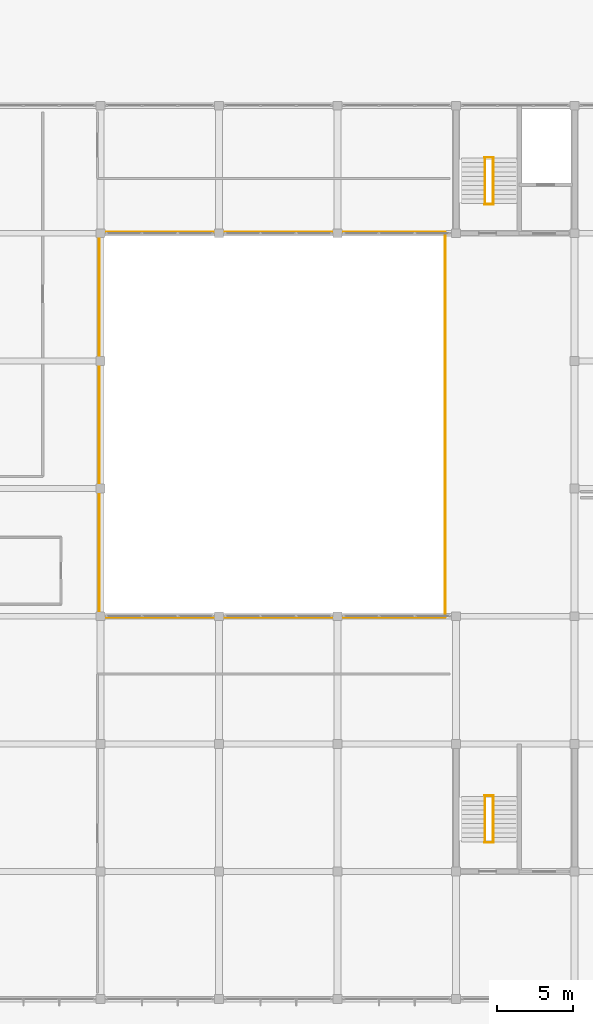
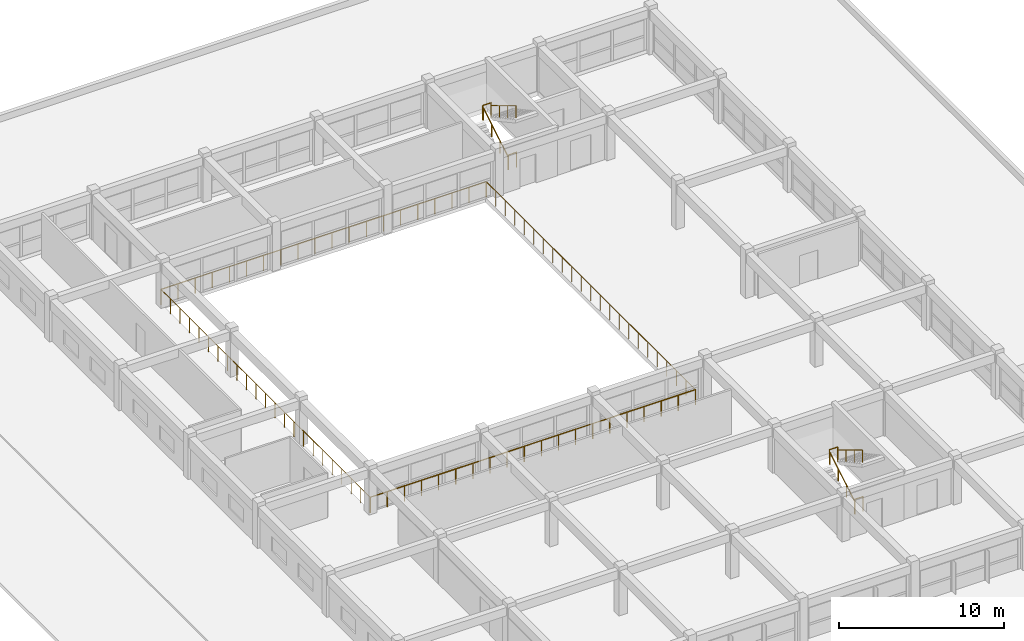
# One storey, part 101 of 101: 12 railings.
"""IFC4 building model written with IfcOpenShell, lengths in metres."""

import ifcopenshell
import ifcopenshell.guid

model = None  # the IFC model being written
_history = None  # IfcOwnerHistory: only IFC2X3 demands one
_inside = {}  # id of a spatial element -> (the spatial element, [elements in it])
_under = {}  # id of a project, library or spatial element -> (it, [spatial elements below it])
_declared = {}  # id of a project -> (the project, [libraries it declares])
_typed = {}  # id of a type object -> (the type object, [elements of that type])
_made_of = {}  # id of a material, layer set ... -> (it, [elements and type objects made of it])


def new_model(schema):
    """Start an empty IFC model of exactly this schema.

    Asked for "IFC4X3", IfcOpenShell would pick the latest addendum, in which some entities
    have other attributes; the version numbers below select the first issue.
    IFC2X3 requires an IfcOwnerHistory on every rooted entity: one is made here for all.
    """
    global model, _history
    if schema == "IFC4X3":
        model = ifcopenshell.file(schema_version=(4, 3, 0, 0))
    else:
        model = ifcopenshell.file(schema=schema)
    _inside.clear()
    _under.clear()
    _declared.clear()
    _typed.clear()
    _made_of.clear()
    _history = None
    if model.schema == "IFC2X3":
        org = make("IfcOrganization", Name="unknown")
        user = make(
            "IfcPersonAndOrganization",
            ThePerson=make("IfcPerson", FamilyName="unknown"),
            TheOrganization=org,
        )
        app = make(
            "IfcApplication",
            ApplicationDeveloper=org,
            Version="unknown",
            ApplicationFullName="unknown",
            ApplicationIdentifier="unknown",
        )
        _history = make(
            "IfcOwnerHistory",
            OwningUser=user,
            OwningApplication=app,
            ChangeAction="ADDED",
            CreationDate=0,
        )
    return model


def make(cls, **values):
    """One entity of the class cls with the attributes given. An attribute that is None is left unset."""
    return model.create_entity(
        cls, **{name: value for name, value in values.items() if value is not None}
    )


def rooted(cls, **values):
    """An entity with a GlobalId (a new one), such as an element, a storey or a relation."""
    return make(cls, GlobalId=ifcopenshell.guid.new(), OwnerHistory=_history, **values)


def si_unit(unit_type, name, prefix=None):
    """IfcSIUnit, for example si_unit("LENGTHUNIT", "METRE", prefix="MILLI")."""
    return make("IfcSIUnit", UnitType=unit_type, Prefix=prefix, Name=name)


def assignment(units):
    """IfcUnitAssignment: the units of a project."""
    return None if units is None else make("IfcUnitAssignment", Units=units)


def point(xyz):
    """IfcCartesianPoint."""
    return None if xyz is None else make("IfcCartesianPoint", Coordinates=xyz)


def direction(xyz):
    """IfcDirection."""
    return None if xyz is None else make("IfcDirection", DirectionRatios=xyz)


def frame(location, z_axis=None, x_axis=None):
    """IfcAxis2Placement3D, a coordinate frame: its origin and axes. An axis left out is left unset."""
    return make(
        "IfcAxis2Placement3D",
        Location=point(location),
        Axis=direction(z_axis),
        RefDirection=direction(x_axis),
    )


def frame_2d(location, x_axis=None):
    """IfcAxis2Placement2D, a coordinate frame in the plane: its origin and x axis."""
    return make(
        "IfcAxis2Placement2D", Location=point(location), RefDirection=direction(x_axis)
    )


def origin():
    """The frame at (0, 0, 0) with its axes left unset."""
    return frame((0.0, 0.0, 0.0))


def origin_2d():
    """The frame at (0, 0) in the plane with its x axis left unset."""
    return frame_2d((0.0, 0.0))


def place(relative_to, where):
    """IfcLocalPlacement: puts the frame where relative to a parent placement (None: the world)."""
    return make(
        "IfcLocalPlacement", PlacementRelTo=relative_to, RelativePlacement=where
    )


def context(
    kind, dimensions, precision=None, world=None, true_north=None, identifier=None
):
    """IfcGeometricRepresentationContext, for example the 3D "Model" context."""
    return make(
        "IfcGeometricRepresentationContext",
        ContextIdentifier=identifier,
        ContextType=kind,
        CoordinateSpaceDimension=dimensions,
        Precision=precision,
        WorldCoordinateSystem=world,
        TrueNorth=true_north,
    )


def subcontext(parent, identifier, kind, view, scale=None):
    """IfcGeometricRepresentationSubContext, for example "Body" below "Model"."""
    return make(
        "IfcGeometricRepresentationSubContext",
        ContextIdentifier=identifier,
        ContextType=kind,
        ParentContext=parent,
        TargetScale=scale,
        TargetView=view,
    )


def project(units=None, contexts=None):
    """IfcProject with its units and contexts."""
    return rooted(
        "IfcProject",
        Name="project",
        RepresentationContexts=contexts,
        UnitsInContext=assignment(units),
    )


def spatial(cls, under=None, at=None, **own):
    """A site, building, storey or space (cls), placed at a placement, below another one or the project."""
    s = rooted(cls, ObjectPlacement=at, **own)
    if under is not None:
        _under.setdefault(under.id(), (under, []))[1].append(s)
    return s


def profile(cls, at=None, kind="AREA", **sizes):
    """A parametric profile (cls). Its sizes go by their IFC names, for example OverallWidth=200.0."""
    return make(cls, ProfileType=kind, Position=at, **sizes)


def hollow_rectangle(**sizes):
    """IfcRectangleHollowProfileDef."""
    return profile("IfcRectangleHollowProfileDef", **sizes)


def circle(**sizes):
    """IfcCircleProfileDef."""
    return profile("IfcCircleProfileDef", **sizes)


def hollow_circle(**sizes):
    """IfcCircleHollowProfileDef."""
    return profile("IfcCircleHollowProfileDef", **sizes)


def extrude(swept, where, along, depth):
    """IfcExtrudedAreaSolid: the profile swept, set in the frame where, extruded along a direction by depth."""
    return make(
        "IfcExtrudedAreaSolid",
        SweptArea=swept,
        Position=where,
        ExtrudedDirection=direction(along),
        Depth=depth,
    )


def shape(context_of_items, identifier, shape_type, items):
    """IfcShapeRepresentation: the items that make up one representation, for example the "Body"."""
    return make(
        "IfcShapeRepresentation",
        ContextOfItems=context_of_items,
        RepresentationIdentifier=identifier,
        RepresentationType=shape_type,
        Items=items,
    )


def material(Name=None, Category=None):
    """IfcMaterial."""
    return make("IfcMaterial", Name=Name, Category=Category)


def material_profile(
    of_material, cross_section, Name=None, Category=None, Priority=None
):
    """IfcMaterialProfile: a cross section and its material."""
    return make(
        "IfcMaterialProfile",
        Name=Name,
        Material=of_material,
        Profile=cross_section,
        Priority=Priority,
        Category=Category,
    )


def profile_set(profiles, Name=None, composite=None):
    """IfcMaterialProfileSet."""
    return make(
        "IfcMaterialProfileSet",
        Name=Name,
        MaterialProfiles=profiles,
        CompositeProfile=composite,
    )


def made_of(thing, what):
    """Note that an element or type object is made of a material, layer set ...; save() writes the relation."""
    if what is not None:
        _made_of.setdefault(what.id(), (what, []))[1].append(thing)
    return thing


def type_object(cls, material=None, **own):
    """A type object (cls), such as IfcWallType, which elements share."""
    return made_of(rooted(cls, **own), material)


def element(
    cls,
    number,
    at=None,
    inside=None,
    cuts=None,
    type_object=None,
    material=None,
    context=None,
    identifier="Body",
    shape_type=None,
    held_by="IfcProductDefinitionShape",
    body=None,
    shapes=None,
    **own,
):
    """One element of the class cls, such as IfcWall. Its Tag is "e" and its number.

    at: its placement. inside: the storey or other place that contains it. cuts: it is an
    opening in that element (IfcRelVoidsElement). A single representation is given by context,
    identifier, shape_type and body (its items); several are given by shapes. held_by: the class
    of the entity that holds the representations. save() writes the other relations.
    """
    e = rooted(cls, Tag="e%d" % number, ObjectPlacement=at, **own)
    if body is not None:
        shapes = [shape(context, identifier, shape_type, body)]
    if shapes is not None:
        e.Representation = make(held_by, Representations=shapes)
    if inside is not None:
        _inside.setdefault(inside.id(), (inside, []))[1].append(e)
    if cuts is not None:
        rooted(
            "IfcRelVoidsElement", RelatingBuildingElement=cuts, RelatedOpeningElement=e
        )
    if type_object is not None:
        _typed.setdefault(type_object.id(), (type_object, []))[1].append(e)
    return made_of(e, material)


def aggregate(whole, parts):
    """IfcRelAggregates: a whole, such as a stair, and the parts it consists of."""
    return rooted("IfcRelAggregates", RelatingObject=whole, RelatedObjects=parts)


def save(model, path):
    """Write the relations noted so far, then the file.

    IfcRelAggregates (storeys below a building ...), IfcRelContainedInSpatialStructure (elements
    in a storey), IfcRelDefinesByType, IfcRelAssociatesMaterial and IfcRelDeclares: one each for
    every whole, place, type object, material and project.
    """
    for whole, parts in _under.values():
        aggregate(whole, parts)
    for where, things in _inside.values():
        rooted(
            "IfcRelContainedInSpatialStructure",
            RelatedElements=things,
            RelatingStructure=where,
        )
    for kind, things in _typed.values():
        rooted("IfcRelDefinesByType", RelatedObjects=things, RelatingType=kind)
    for what, things in _made_of.values():
        rooted("IfcRelAssociatesMaterial", RelatedObjects=things, RelatingMaterial=what)
    for by, libraries in _declared.values():
        rooted("IfcRelDeclares", RelatingContext=by, RelatedDefinitions=libraries)
    model.write(path)


model = new_model("IFC4")

# Units and contexts
model_context = context("Model", 3, precision=1e-05, world=origin(), true_north=direction((0.0, 1.0)))
body_context = subcontext(model_context, "Body", "Model", "MODEL_VIEW")
ifc_project = project(units=[si_unit("LENGTHUNIT", "METRE"), si_unit("AREAUNIT", "SQUARE_METRE"), si_unit("VOLUMEUNIT", "CUBIC_METRE"), si_unit("PLANEANGLEUNIT", "RADIAN"), si_unit("MASSUNIT", "GRAM", prefix="KILO")], contexts=[model_context])

# Site, building, storey
site_placement = place(None, origin())
site = spatial("IfcSite", under=ifc_project, at=site_placement, CompositionType="ELEMENT")
building_placement = place(site_placement, origin())
building = spatial("IfcBuilding", under=site, at=building_placement, Name="Zizhar Promenade General Hospital", CompositionType="ELEMENT")
storey_placement = place(building_placement, frame((0.0, 0.0, 14.39990234375)))
storey = spatial("IfcBuildingStorey", under=building, at=storey_placement, Name="L03", CompositionType="ELEMENT", Elevation=14.39990234375)

# Railings
ifc_material_1 = material(Name="Steel S355", Category="steel")
ifc_material_profile_1 = material_profile(ifc_material_1, hollow_rectangle(XDim=0.06005859375, YDim=0.1201171875, WallThickness=0.00390625, at=origin_2d()))
ifc_profile_set_1 = profile_set([ifc_material_profile_1], Name="Steel S355")
railing_type_1 = type_object("IfcRailingType", Name="RL-GUARD-EXT-1150", PredefinedType="GUARDRAIL", material=ifc_profile_set_1)
railing_1_placement = place(storey_placement, frame((148.1201171875, 67.1201171875, 0.0)))
element("IfcRailing", 1, at=railing_1_placement, inside=storey, type_object=railing_type_1, Name="Perimeter Safety Guardrail L03-01", PredefinedType="GUARDRAIL", context=body_context, shape_type="SweptSolid", body=[
    extrude(circle(Radius=0.02392578125, at=origin_2d()), frame((0.0, 0.0, 1.1259765625), z_axis=(1.0, 0.0, 0.0), x_axis=(0.0, 1.0, 0.0)), (0.0, 0.0, 1.0), 22.759765625),
    extrude(circle(Radius=0.02099609375, at=origin_2d()), origin(), (0.0, 0.0, 1.0), 1.101806640625),
    extrude(circle(Radius=0.02099609375, at=origin_2d()), frame((1.197998046875, 0.0, 0.0)), (0.0, 0.0, 1.0), 1.101806640625),
    extrude(circle(Radius=0.02099609375, at=origin_2d()), frame((2.395751953125, 0.0, 0.0)), (0.0, 0.0, 1.0), 1.101806640625),
    extrude(circle(Radius=0.02099609375, at=origin_2d()), frame((3.59375, 0.0, 0.0)), (0.0, 0.0, 1.0), 1.101806640625),
    extrude(circle(Radius=0.02099609375, at=origin_2d()), frame((4.79150390625, 0.0, 0.0)), (0.0, 0.0, 1.0), 1.101806640625),
    extrude(circle(Radius=0.02099609375, at=origin_2d()), frame((5.989501953125, 0.0, 0.0)), (0.0, 0.0, 1.0), 1.101806640625),
    extrude(circle(Radius=0.02099609375, at=origin_2d()), frame((7.187255859375, 0.0, 0.0)), (0.0, 0.0, 1.0), 1.101806640625),
    extrude(circle(Radius=0.02099609375, at=origin_2d()), frame((8.38525390625, 0.0, 0.0)), (0.0, 0.0, 1.0), 1.101806640625),
    extrude(circle(Radius=0.02099609375, at=origin_2d()), frame((9.5830078125, 0.0, 0.0)), (0.0, 0.0, 1.0), 1.101806640625),
    extrude(circle(Radius=0.02099609375, at=origin_2d()), frame((10.781005859375, 0.0, 0.0)), (0.0, 0.0, 1.0), 1.101806640625),
    extrude(circle(Radius=0.02099609375, at=origin_2d()), frame((11.978759765625, 0.0, 0.0)), (0.0, 0.0, 1.0), 1.101806640625),
    extrude(circle(Radius=0.02099609375, at=origin_2d()), frame((13.1767578125, 0.0, 0.0)), (0.0, 0.0, 1.0), 1.101806640625),
    extrude(circle(Radius=0.02099609375, at=origin_2d()), frame((14.37451171875, 0.0, 0.0)), (0.0, 0.0, 1.0), 1.101806640625),
    extrude(circle(Radius=0.02099609375, at=origin_2d()), frame((15.572509765625, 0.0, 0.0)), (0.0, 0.0, 1.0), 1.101806640625),
    extrude(circle(Radius=0.02099609375, at=origin_2d()), frame((16.770263671875, 0.0, 0.0)), (0.0, 0.0, 1.0), 1.101806640625),
    extrude(circle(Radius=0.02099609375, at=origin_2d()), frame((17.96826171875, 0.0, 0.0)), (0.0, 0.0, 1.0), 1.101806640625),
    extrude(circle(Radius=0.02099609375, at=origin_2d()), frame((19.166015625, 0.0, 0.0)), (0.0, 0.0, 1.0), 1.101806640625),
    extrude(circle(Radius=0.02099609375, at=origin_2d()), frame((20.364013671875, 0.0, 0.0)), (0.0, 0.0, 1.0), 1.101806640625),
    extrude(circle(Radius=0.02099609375, at=origin_2d()), frame((21.561767578125, 0.0, 0.0)), (0.0, 0.0, 1.0), 1.101806640625),
    extrude(circle(Radius=0.02099609375, at=origin_2d()), frame((22.759765625, 0.0, 0.0)), (0.0, 0.0, 1.0), 1.101806640625),
])
railing_2_placement = place(storey_placement, frame((170.8798828125, 67.1201171875, 0.0)))
element("IfcRailing", 2, at=railing_2_placement, inside=storey, type_object=railing_type_1, Name="Perimeter Safety Guardrail L03-02", PredefinedType="GUARDRAIL", context=body_context, shape_type="SweptSolid", body=[
    extrude(circle(Radius=0.02392578125, at=origin_2d()), frame((0.0, 0.0, 1.1259765625), z_axis=(0.0, 1.0, 0.0), x_axis=(-1.0, 0.0, 0.0)), (0.0, 0.0, 1.0), 25.35986328125),
    extrude(circle(Radius=0.02099609375, at=origin_2d()), origin(), (0.0, 0.0, 1.0), 1.101806640625),
    extrude(circle(Radius=0.02099609375, at=origin_2d()), frame((0.0, 1.15283203125, 0.0)), (0.0, 0.0, 1.0), 1.101806640625),
    extrude(circle(Radius=0.02099609375, at=origin_2d()), frame((0.0, 2.305419921875, 0.0)), (0.0, 0.0, 1.0), 1.101806640625),
    extrude(circle(Radius=0.02099609375, at=origin_2d()), frame((0.0, 3.458251953125, 0.0)), (0.0, 0.0, 1.0), 1.101806640625),
    extrude(circle(Radius=0.02099609375, at=origin_2d()), frame((0.0, 4.61083984375, 0.0)), (0.0, 0.0, 1.0), 1.101806640625),
    extrude(circle(Radius=0.02099609375, at=origin_2d()), frame((0.0, 5.763671875, 0.0)), (0.0, 0.0, 1.0), 1.101806640625),
    extrude(circle(Radius=0.02099609375, at=origin_2d()), frame((0.0, 6.916259765625, 0.0)), (0.0, 0.0, 1.0), 1.101806640625),
    extrude(circle(Radius=0.02099609375, at=origin_2d()), frame((0.0, 8.069091796875, 0.0)), (0.0, 0.0, 1.0), 1.101806640625),
    extrude(circle(Radius=0.02099609375, at=origin_2d()), frame((0.0, 9.2216796875, 0.0)), (0.0, 0.0, 1.0), 1.101806640625),
    extrude(circle(Radius=0.02099609375, at=origin_2d()), frame((0.0, 10.37451171875, 0.0)), (0.0, 0.0, 1.0), 1.101806640625),
    extrude(circle(Radius=0.02099609375, at=origin_2d()), frame((0.0, 11.527099609375, 0.0)), (0.0, 0.0, 1.0), 1.101806640625),
    extrude(circle(Radius=0.02099609375, at=origin_2d()), frame((0.0, 12.679931640625, 0.0)), (0.0, 0.0, 1.0), 1.101806640625),
    extrude(circle(Radius=0.02099609375, at=origin_2d()), frame((0.0, 13.832763671875, 0.0)), (0.0, 0.0, 1.0), 1.101806640625),
    extrude(circle(Radius=0.02099609375, at=origin_2d()), frame((0.0, 14.9853515625, 0.0)), (0.0, 0.0, 1.0), 1.101806640625),
    extrude(circle(Radius=0.02099609375, at=origin_2d()), frame((0.0, 16.13818359375, 0.0)), (0.0, 0.0, 1.0), 1.101806640625),
    extrude(circle(Radius=0.02099609375, at=origin_2d()), frame((0.0, 17.290771484375, 0.0)), (0.0, 0.0, 1.0), 1.101806640625),
    extrude(circle(Radius=0.02099609375, at=origin_2d()), frame((0.0, 18.443603515625, 0.0)), (0.0, 0.0, 1.0), 1.101806640625),
    extrude(circle(Radius=0.02099609375, at=origin_2d()), frame((0.0, 19.59619140625, 0.0)), (0.0, 0.0, 1.0), 1.101806640625),
    extrude(circle(Radius=0.02099609375, at=origin_2d()), frame((0.0, 20.7490234375, 0.0)), (0.0, 0.0, 1.0), 1.101806640625),
    extrude(circle(Radius=0.02099609375, at=origin_2d()), frame((0.0, 21.901611328125, 0.0)), (0.0, 0.0, 1.0), 1.101806640625),
    extrude(circle(Radius=0.02099609375, at=origin_2d()), frame((0.0, 23.054443359375, 0.0)), (0.0, 0.0, 1.0), 1.101806640625),
    extrude(circle(Radius=0.02099609375, at=origin_2d()), frame((0.0, 24.20703125, 0.0)), (0.0, 0.0, 1.0), 1.101806640625),
    extrude(circle(Radius=0.02099609375, at=origin_2d()), frame((0.0, 25.35986328125, 0.0)), (0.0, 0.0, 1.0), 1.101806640625),
])
railing_3_placement = place(storey_placement, frame((170.8798828125, 92.47998046875, 0.0)))
element("IfcRailing", 3, at=railing_3_placement, inside=storey, type_object=railing_type_1, Name="Perimeter Safety Guardrail L03-03", PredefinedType="GUARDRAIL", context=body_context, shape_type="SweptSolid", body=[
    extrude(circle(Radius=0.02392578125, at=origin_2d()), frame((0.0, 0.0, 1.1259765625), z_axis=(-1.0, 0.0, 0.0), x_axis=(0.0, -1.0, 0.0)), (0.0, 0.0, 1.0), 22.759765625),
    extrude(circle(Radius=0.02099609375, at=origin_2d()), origin(), (0.0, 0.0, 1.0), 1.101806640625),
    extrude(circle(Radius=0.02099609375, at=origin_2d()), frame((-1.197998046875, 0.0, 0.0)), (0.0, 0.0, 1.0), 1.101806640625),
    extrude(circle(Radius=0.02099609375, at=origin_2d()), frame((-2.395751953125, 0.0, 0.0)), (0.0, 0.0, 1.0), 1.101806640625),
    extrude(circle(Radius=0.02099609375, at=origin_2d()), frame((-3.59375, 0.0, 0.0)), (0.0, 0.0, 1.0), 1.101806640625),
    extrude(circle(Radius=0.02099609375, at=origin_2d()), frame((-4.79150390625, 0.0, 0.0)), (0.0, 0.0, 1.0), 1.101806640625),
    extrude(circle(Radius=0.02099609375, at=origin_2d()), frame((-5.989501953125, 0.0, 0.0)), (0.0, 0.0, 1.0), 1.101806640625),
    extrude(circle(Radius=0.02099609375, at=origin_2d()), frame((-7.187255859375, 0.0, 0.0)), (0.0, 0.0, 1.0), 1.101806640625),
    extrude(circle(Radius=0.02099609375, at=origin_2d()), frame((-8.38525390625, 0.0, 0.0)), (0.0, 0.0, 1.0), 1.101806640625),
    extrude(circle(Radius=0.02099609375, at=origin_2d()), frame((-9.5830078125, 0.0, 0.0)), (0.0, 0.0, 1.0), 1.101806640625),
    extrude(circle(Radius=0.02099609375, at=origin_2d()), frame((-10.781005859375, 0.0, 0.0)), (0.0, 0.0, 1.0), 1.101806640625),
    extrude(circle(Radius=0.02099609375, at=origin_2d()), frame((-11.978759765625, 0.0, 0.0)), (0.0, 0.0, 1.0), 1.101806640625),
    extrude(circle(Radius=0.02099609375, at=origin_2d()), frame((-13.1767578125, 0.0, 0.0)), (0.0, 0.0, 1.0), 1.101806640625),
    extrude(circle(Radius=0.02099609375, at=origin_2d()), frame((-14.37451171875, 0.0, 0.0)), (0.0, 0.0, 1.0), 1.101806640625),
    extrude(circle(Radius=0.02099609375, at=origin_2d()), frame((-15.572509765625, 0.0, 0.0)), (0.0, 0.0, 1.0), 1.101806640625),
    extrude(circle(Radius=0.02099609375, at=origin_2d()), frame((-16.770263671875, 0.0, 0.0)), (0.0, 0.0, 1.0), 1.101806640625),
    extrude(circle(Radius=0.02099609375, at=origin_2d()), frame((-17.96826171875, 0.0, 0.0)), (0.0, 0.0, 1.0), 1.101806640625),
    extrude(circle(Radius=0.02099609375, at=origin_2d()), frame((-19.166015625, 0.0, 0.0)), (0.0, 0.0, 1.0), 1.101806640625),
    extrude(circle(Radius=0.02099609375, at=origin_2d()), frame((-20.364013671875, 0.0, 0.0)), (0.0, 0.0, 1.0), 1.101806640625),
    extrude(circle(Radius=0.02099609375, at=origin_2d()), frame((-21.561767578125, 0.0, 0.0)), (0.0, 0.0, 1.0), 1.101806640625),
    extrude(circle(Radius=0.02099609375, at=origin_2d()), frame((-22.759765625, 0.0, 0.0)), (0.0, 0.0, 1.0), 1.101806640625),
])
railing_4_placement = place(storey_placement, frame((148.1201171875, 92.47998046875, 0.0)))
element("IfcRailing", 4, at=railing_4_placement, inside=storey, type_object=railing_type_1, Name="Perimeter Safety Guardrail L03-04", PredefinedType="GUARDRAIL", context=body_context, shape_type="SweptSolid", body=[
    extrude(circle(Radius=0.02392578125, at=origin_2d()), frame((0.0, 0.0, 1.1259765625), z_axis=(0.0, -1.0, 0.0), x_axis=(1.0, 0.0, 0.0)), (0.0, 0.0, 1.0), 25.35986328125),
    extrude(circle(Radius=0.02099609375, at=origin_2d()), origin(), (0.0, 0.0, 1.0), 1.101806640625),
    extrude(circle(Radius=0.02099609375, at=origin_2d()), frame((0.0, -1.15283203125, 0.0)), (0.0, 0.0, 1.0), 1.101806640625),
    extrude(circle(Radius=0.02099609375, at=origin_2d()), frame((0.0, -2.305419921875, 0.0)), (0.0, 0.0, 1.0), 1.101806640625),
    extrude(circle(Radius=0.02099609375, at=origin_2d()), frame((0.0, -3.458251953125, 0.0)), (0.0, 0.0, 1.0), 1.101806640625),
    extrude(circle(Radius=0.02099609375, at=origin_2d()), frame((0.0, -4.61083984375, 0.0)), (0.0, 0.0, 1.0), 1.101806640625),
    extrude(circle(Radius=0.02099609375, at=origin_2d()), frame((0.0, -5.763671875, 0.0)), (0.0, 0.0, 1.0), 1.101806640625),
    extrude(circle(Radius=0.02099609375, at=origin_2d()), frame((0.0, -6.916259765625, 0.0)), (0.0, 0.0, 1.0), 1.101806640625),
    extrude(circle(Radius=0.02099609375, at=origin_2d()), frame((0.0, -8.069091796875, 0.0)), (0.0, 0.0, 1.0), 1.101806640625),
    extrude(circle(Radius=0.02099609375, at=origin_2d()), frame((0.0, -9.2216796875, 0.0)), (0.0, 0.0, 1.0), 1.101806640625),
    extrude(circle(Radius=0.02099609375, at=origin_2d()), frame((0.0, -10.37451171875, 0.0)), (0.0, 0.0, 1.0), 1.101806640625),
    extrude(circle(Radius=0.02099609375, at=origin_2d()), frame((0.0, -11.527099609375, 0.0)), (0.0, 0.0, 1.0), 1.101806640625),
    extrude(circle(Radius=0.02099609375, at=origin_2d()), frame((0.0, -12.679931640625, 0.0)), (0.0, 0.0, 1.0), 1.101806640625),
    extrude(circle(Radius=0.02099609375, at=origin_2d()), frame((0.0, -13.832763671875, 0.0)), (0.0, 0.0, 1.0), 1.101806640625),
    extrude(circle(Radius=0.02099609375, at=origin_2d()), frame((0.0, -14.9853515625, 0.0)), (0.0, 0.0, 1.0), 1.101806640625),
    extrude(circle(Radius=0.02099609375, at=origin_2d()), frame((0.0, -16.13818359375, 0.0)), (0.0, 0.0, 1.0), 1.101806640625),
    extrude(circle(Radius=0.02099609375, at=origin_2d()), frame((0.0, -17.290771484375, 0.0)), (0.0, 0.0, 1.0), 1.101806640625),
    extrude(circle(Radius=0.02099609375, at=origin_2d()), frame((0.0, -18.443603515625, 0.0)), (0.0, 0.0, 1.0), 1.101806640625),
    extrude(circle(Radius=0.02099609375, at=origin_2d()), frame((0.0, -19.59619140625, 0.0)), (0.0, 0.0, 1.0), 1.101806640625),
    extrude(circle(Radius=0.02099609375, at=origin_2d()), frame((0.0, -20.7490234375, 0.0)), (0.0, 0.0, 1.0), 1.101806640625),
    extrude(circle(Radius=0.02099609375, at=origin_2d()), frame((0.0, -21.901611328125, 0.0)), (0.0, 0.0, 1.0), 1.101806640625),
    extrude(circle(Radius=0.02099609375, at=origin_2d()), frame((0.0, -23.054443359375, 0.0)), (0.0, 0.0, 1.0), 1.101806640625),
    extrude(circle(Radius=0.02099609375, at=origin_2d()), frame((0.0, -24.20703125, 0.0)), (0.0, 0.0, 1.0), 1.101806640625),
    extrude(circle(Radius=0.02099609375, at=origin_2d()), frame((0.0, -25.35986328125, 0.0)), (0.0, 0.0, 1.0), 1.101806640625),
])
ifc_material_2 = material(Name="Anodised aluminium 6063-T6", Category="aluminium")
ifc_material_profile_2 = material_profile(ifc_material_2, hollow_circle(Radius=0.06982421875, WallThickness=0.00634765625, at=origin_2d()))
ifc_profile_set_2 = profile_set([ifc_material_profile_2], Name="Anodised aluminium 6063-T6")
railing_type_2 = type_object("IfcRailingType", Name="RL-HANDRAIL-920", PredefinedType="HANDRAIL", material=ifc_profile_set_2)
railing_5_placement = place(storey_placement, frame((173.5, 94.35009765625, 0.0)))
element("IfcRailing", 5, at=railing_5_placement, inside=storey, type_object=railing_type_2, Name="Stair ST-08 Flight 1 Handrail (L03)", PredefinedType="HANDRAIL", context=body_context, shape_type="SweptSolid", body=[
    extrude(circle(Radius=0.02392578125, at=origin_2d()), frame((0.0, 0.0, 0.89599609375), z_axis=(0.0, 0.857486768376, 0.514506017516), x_axis=(-1.0, 0.0, 0.0)), (0.0, 0.0, 1.0), 3.49853515625),
    extrude(circle(Radius=0.02099609375, at=origin_2d()), origin(), (0.0, 0.0, 1.0), 0.871826171875),
    extrude(circle(Radius=0.02099609375, at=origin_2d()), frame((0.0, 1.0, 0.60009765625)), (0.0, 0.0, 1.0), 0.871826171875),
    extrude(circle(Radius=0.02099609375, at=origin_2d()), frame((0.0, 2.0, 1.199951171875)), (0.0, 0.0, 1.0), 0.871826171875),
    extrude(circle(Radius=0.02099609375, at=origin_2d()), frame((0.0, 3.0, 1.800048828125)), (0.0, 0.0, 1.0), 0.871826171875),
])
railing_6_placement = place(storey_placement, frame((174.0400390625, 97.35009765625, 1.800048828125)))
element("IfcRailing", 6, at=railing_6_placement, inside=storey, type_object=railing_type_2, Name="Stair ST-08 Flight 2 Handrail (L03)", PredefinedType="HANDRAIL", context=body_context, shape_type="SweptSolid", body=[
    extrude(circle(Radius=0.02392578125, at=origin_2d()), frame((0.0, 0.0, 0.89599609375), z_axis=(0.0, -0.857486768376, 0.514506017516), x_axis=(1.0, 0.0, 0.0)), (0.0, 0.0, 1.0), 3.49853515625),
    extrude(circle(Radius=0.02099609375, at=origin_2d()), origin(), (0.0, 0.0, 1.0), 0.871826171875),
    extrude(circle(Radius=0.02099609375, at=origin_2d()), frame((0.0, -1.0, 0.60009765625)), (0.0, 0.0, 1.0), 0.871826171875),
    extrude(circle(Radius=0.02099609375, at=origin_2d()), frame((0.0, -2.0, 1.199951171875)), (0.0, 0.0, 1.0), 0.871826171875),
    extrude(circle(Radius=0.02099609375, at=origin_2d()), frame((0.0, -3.0, 1.800048828125)), (0.0, 0.0, 1.0), 0.871826171875),
])
railing_7_placement = place(storey_placement, frame((173.5, 52.35009765625, 0.0)))
element("IfcRailing", 7, at=railing_7_placement, inside=storey, type_object=railing_type_2, Name="Stair ST-09 Flight 1 Handrail (L03)", PredefinedType="HANDRAIL", context=body_context, shape_type="SweptSolid", body=[
    extrude(circle(Radius=0.02392578125, at=origin_2d()), frame((0.0, 0.0, 0.89599609375), z_axis=(0.0, 0.857486768376, 0.514506017516), x_axis=(-1.0, 0.0, 0.0)), (0.0, 0.0, 1.0), 3.49853515625),
    extrude(circle(Radius=0.02099609375, at=origin_2d()), origin(), (0.0, 0.0, 1.0), 0.871826171875),
    extrude(circle(Radius=0.02099609375, at=origin_2d()), frame((0.0, 1.0, 0.60009765625)), (0.0, 0.0, 1.0), 0.871826171875),
    extrude(circle(Radius=0.02099609375, at=origin_2d()), frame((0.0, 2.0, 1.199951171875)), (0.0, 0.0, 1.0), 0.871826171875),
    extrude(circle(Radius=0.02099609375, at=origin_2d()), frame((0.0, 3.0, 1.800048828125)), (0.0, 0.0, 1.0), 0.871826171875),
])
railing_8_placement = place(storey_placement, frame((174.0400390625, 55.35009765625, 1.800048828125)))
element("IfcRailing", 8, at=railing_8_placement, inside=storey, type_object=railing_type_2, Name="Stair ST-09 Flight 2 Handrail (L03)", PredefinedType="HANDRAIL", context=body_context, shape_type="SweptSolid", body=[
    extrude(circle(Radius=0.02392578125, at=origin_2d()), frame((0.0, 0.0, 0.89599609375), z_axis=(0.0, -0.857486768376, 0.514506017516), x_axis=(1.0, 0.0, 0.0)), (0.0, 0.0, 1.0), 3.49853515625),
    extrude(circle(Radius=0.02099609375, at=origin_2d()), origin(), (0.0, 0.0, 1.0), 0.871826171875),
    extrude(circle(Radius=0.02099609375, at=origin_2d()), frame((0.0, -1.0, 0.60009765625)), (0.0, 0.0, 1.0), 0.871826171875),
    extrude(circle(Radius=0.02099609375, at=origin_2d()), frame((0.0, -2.0, 1.199951171875)), (0.0, 0.0, 1.0), 0.871826171875),
    extrude(circle(Radius=0.02099609375, at=origin_2d()), frame((0.0, -3.0, 1.800048828125)), (0.0, 0.0, 1.0), 0.871826171875),
])
ifc_material_3 = material(Name="Steel S355", Category="steel")
ifc_material_profile_3 = material_profile(ifc_material_3, hollow_circle(Radius=0.06982421875, WallThickness=0.00634765625, at=origin_2d()))
ifc_profile_set_3 = profile_set([ifc_material_profile_3], Name="Steel S355")
railing_type_3 = type_object("IfcRailingType", Name="RL-STAIR-GUARD-1100", PredefinedType="GUARDRAIL", material=ifc_profile_set_3)
for number, where, name in (
    (9, (173.47998046875, 97.389892578125, 1.800048828125), "Stair ST-08 Half-Landing Guard (L03)"),
    (10, (173.47998046875, 94.31005859375, 0.0), "Stair ST-08 Landing Well Guard (L03)"),
    (11, (173.47998046875, 55.389892578125, 1.800048828125), "Stair ST-09 Half-Landing Guard (L03)"),
    (12, (173.47998046875, 52.31005859375, 0.0), "Stair ST-09 Landing Well Guard (L03)"),
):
    element("IfcRailing", number, at=place(storey_placement, frame(where)), inside=storey, type_object=railing_type_3, Name=name, PredefinedType="GUARDRAIL", context=body_context, shape_type="SweptSolid", body=[
        extrude(circle(Radius=0.02392578125, at=origin_2d()), frame((0.0, 0.0, 1.076171875), z_axis=(1.0, 0.0, 0.0), x_axis=(0.0, 1.0, 0.0)), (0.0, 0.0, 1.0), 0.580078125),
        extrude(circle(Radius=0.02099609375, at=origin_2d()), origin(), (0.0, 0.0, 1.0), 1.052001953125),
        extrude(circle(Radius=0.02099609375, at=origin_2d()), frame((0.580078125, 0.0, 0.0)), (0.0, 0.0, 1.0), 1.052001953125),
    ])

save(model, "model.ifc")
